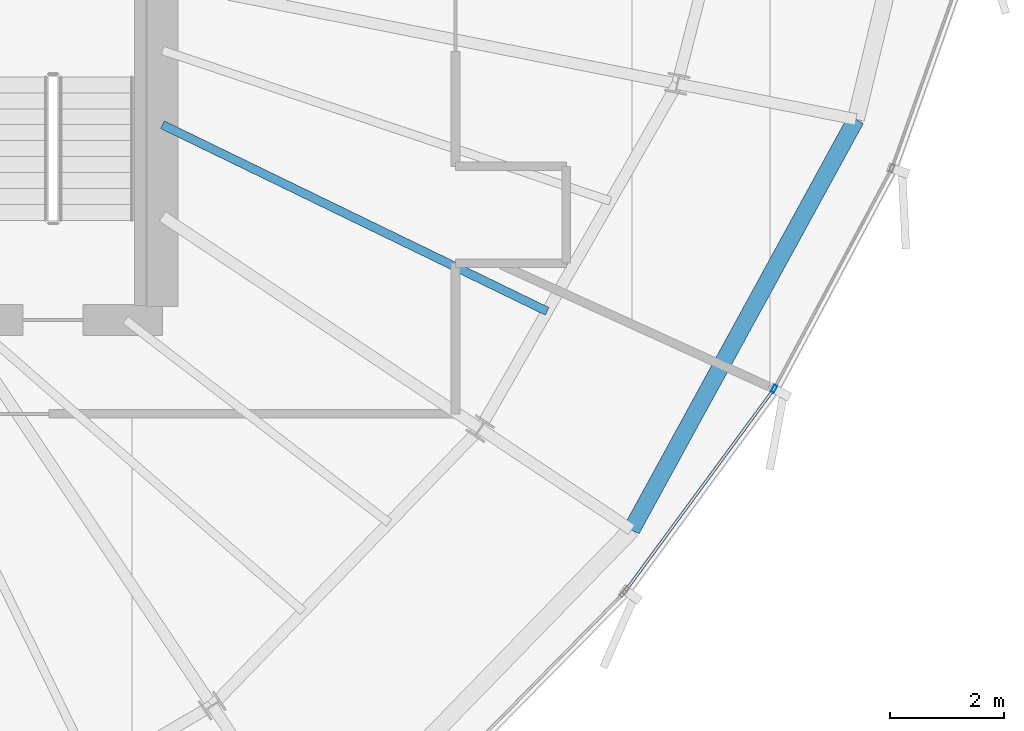
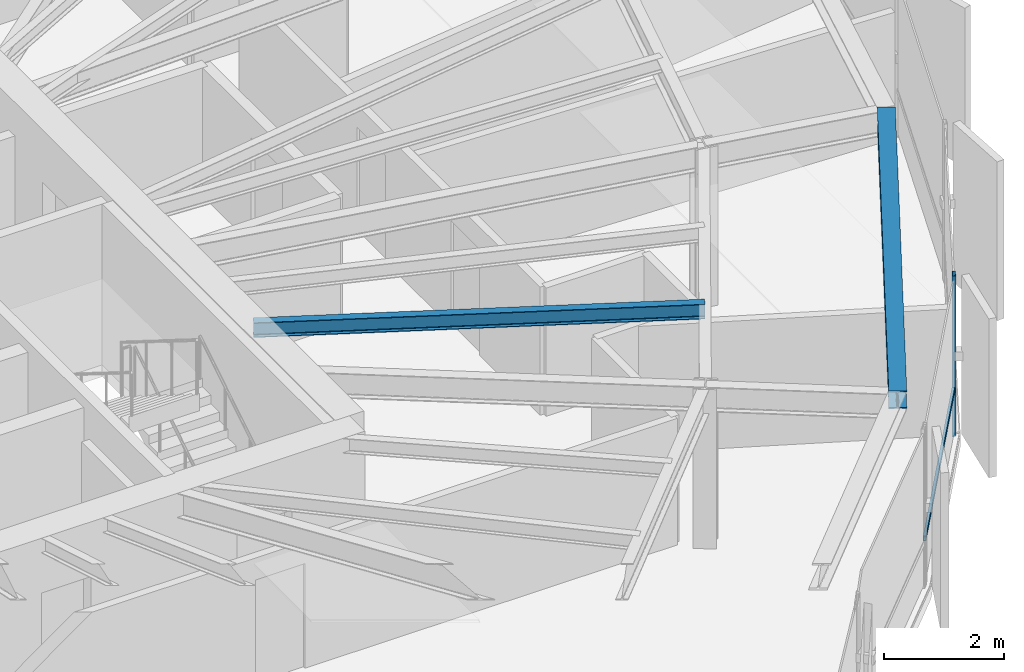
# One storey, part 16 of 37: 2 beams, 2 members, 1 element without a shape of its own.
"""IFC4 building model written with IfcOpenShell, lengths in metres."""

from ifc_helpers import new_model, si_unit, direction, frame, origin, origin_2d, place, context, subcontext, project, spatial, hollow_rectangle, i_section, extrude, source, transform, mapped, material, layer, layer_set, material_profile, profile_set, type_object, element, aggregate, save


model = new_model("IFC4")

# Units and contexts
model_context = context("Model", 3, precision=1e-05, world=origin(), true_north=direction((0.0, 1.0)))
body_context = subcontext(model_context, "Body", "Model", "MODEL_VIEW")
ifc_project = project(units=[si_unit("LENGTHUNIT", "METRE"), si_unit("AREAUNIT", "SQUARE_METRE"), si_unit("VOLUMEUNIT", "CUBIC_METRE"), si_unit("PLANEANGLEUNIT", "RADIAN"), si_unit("MASSUNIT", "GRAM", prefix="KILO"), si_unit("THERMODYNAMICTEMPERATUREUNIT", "KELVIN")], contexts=[model_context])

# Site, building, storey
site_placement = place(None, origin())
site = spatial("IfcSite", under=ifc_project, at=site_placement, CompositionType="ELEMENT")
building_placement = place(site_placement, origin())
building = spatial("IfcBuilding", under=site, at=building_placement, Name="Kethvar Cultural Tower", CompositionType="ELEMENT")
storey_placement = place(building_placement, frame((0.0, 0.0, 200.89990234375)))
storey = spatial("IfcBuildingStorey", under=building, at=storey_placement, Name="L52", CompositionType="ELEMENT", Elevation=200.89990234375)

# Beams
ifc_material_1 = material(Name="Steel S355J2", Category="steel")
ifc_material_profile_1 = material_profile(ifc_material_1, i_section(OverallWidth=0.300048828125, OverallDepth=0.360107421875, WebThickness=0.012451171875, FlangeThickness=0.0224609375, FilletRadius=0.027099609375, at=origin_2d()), Name="Steel S355J2 — HEB360")
ifc_profile_set_1 = profile_set([ifc_material_profile_1], Name="Steel S355J2 — HEB360")
beam_type_1 = type_object("IfcBeamType", Name="BM-SP360", PredefinedType="SPANDREL", material=ifc_profile_set_1)
shared_shape_1 = source(origin(), body_context, "Body", "SweptSolid", [
    extrude(i_section(OverallWidth=0.300048828125, OverallDepth=0.360107421875, WebThickness=0.012451171875, FlangeThickness=0.0224609375, FilletRadius=0.027099609375, at=origin_2d()), origin(), (0.0, 0.0, 1.0), 8.22119140625),
])
beam_1_placement = place(storey_placement, frame((63.84326171875, 16.412109375, 3.078125), z_axis=(0.479721613821, 0.8774207504, 0.0), x_axis=(-0.8774207504, 0.479721613821, 0.0)))
element("IfcBeam", 1, at=beam_1_placement, inside=storey, type_object=beam_type_1, Name="L52 Perimeter Spandrel Beam SP-15", PredefinedType="SPANDREL", context=body_context, shape_type="MappedRepresentation", body=[
    mapped(shared_shape_1, transform((0.0, 0.0, 0.0), scale=1.0)),
])
ifc_material_profile_2 = material_profile(ifc_material_1, i_section(OverallWidth=0.14990234375, OverallDepth=0.300048828125, WebThickness=0.007080078125, FlangeThickness=0.0107421875, FilletRadius=0.014892578125, at=origin_2d()), Name="Steel S355J2 — IPE300")
ifc_profile_set_2 = profile_set([ifc_material_profile_2], Name="Steel S355J2 — IPE300")
beam_type_2 = type_object("IfcBeamType", Name="BM-J300", PredefinedType="JOIST", material=ifc_profile_set_2)
shared_shape_2 = source(origin(), body_context, "Body", "SweptSolid", [
    extrude(i_section(OverallWidth=0.14990234375, OverallDepth=0.300048828125, WebThickness=0.007080078125, FlangeThickness=0.0107421875, FilletRadius=0.014892578125, at=origin_2d()), origin(), (0.0, 0.0, 1.0), 7.5146484375),
])
beam_2_placement = place(storey_placement, frame((55.60009765625, 23.530517578125, 3.108154296875), z_axis=(0.899698132091, -0.436512624229, 0.0), x_axis=(0.436512624229, 0.899698132091, 0.0)))
element("IfcBeam", 2, at=beam_2_placement, inside=storey, type_object=beam_type_2, Name="L52 Composite Floor Joist J-15A", PredefinedType="JOIST", context=body_context, shape_type="MappedRepresentation", body=[
    mapped(shared_shape_2, transform((0.0, 0.0, 0.0), scale=1.0)),
])

# Curtain wall, members
ifc_material_2 = material(Name="Aluminium 6063-T6", Category="aluminium")
ifc_layer = layer(ifc_material_2, 0.179931640625, Name="Aluminium 6063-T6", Category="aluminium")
ifc_layer_set = layer_set([ifc_layer], Name="Aluminium 6063-T6 (180 mm)")
curtain_wall_type = type_object("IfcCurtainWallType", Name="CW-SYS-04-Z34", PredefinedType="NOTDEFINED", material=ifc_layer_set)
curtain_wall_placement = place(storey_placement, origin())
curtain_wall = element("IfcCurtainWall", 3, at=curtain_wall_placement, inside=storey, type_object=curtain_wall_type, Name="L52 Curtain Wall Run 06", PredefinedType="NOTDEFINED")
ifc_material_profile_3 = material_profile(ifc_material_2, hollow_rectangle(XDim=0.06005859375, YDim=0.139892578125, WallThickness=0.0048828125, at=origin_2d()), Name="Aluminium 6063-T6 — RHS140x60x5")
ifc_profile_set_3 = profile_set([ifc_material_profile_3], Name="Aluminium 6063-T6 — RHS140x60x5")
member_type_1 = type_object("IfcMemberType", Name="CW-SYS-04-Z34-MUL", PredefinedType="MULLION", material=ifc_profile_set_3)
shared_shape_3 = source(origin(), body_context, "Body", "SweptSolid", [
    extrude(hollow_rectangle(XDim=0.06005859375, YDim=0.139892578125, WallThickness=0.0048828125, at=origin_2d()), origin(), (0.0, 0.0, 1.0), 3.260009765625),
])
member_1_placement = place(storey_placement, frame((66.3486328125, 18.8876953125, 0.0), z_axis=(0.0, 0.0, 1.0), x_axis=(-0.882274795231, 0.470734729652, 0.0)))
member_1 = element("IfcMember", 4, at=member_1_placement, type_object=member_type_1, Name="CW-L52-R06 Mullion 2", PredefinedType="MULLION", context=body_context, shape_type="MappedRepresentation", body=[
    mapped(shared_shape_3, transform((0.0, 0.0, 0.0), scale=1.0)),
])
ifc_material_profile_4 = material_profile(ifc_material_2, hollow_rectangle(XDim=0.050048828125, YDim=0.10009765625, WallThickness=0.00390625, at=origin_2d()), Name="Aluminium 6063-T6 — RHS100x50x4")
ifc_profile_set_4 = profile_set([ifc_material_profile_4], Name="Aluminium 6063-T6 — RHS100x50x4")
member_type_2 = type_object("IfcMemberType", Name="CW-SYS-04-Z34-TRN", PredefinedType="USERDEFINED", material=ifc_profile_set_4)
shared_shape_4 = source(origin(), body_context, "Body", "SweptSolid", [
    extrude(hollow_rectangle(XDim=0.050048828125, YDim=0.10009765625, WallThickness=0.00390625, at=origin_2d()), origin(), (0.0, 0.0, 1.0), 4.368896484375),
])
member_2_placement = place(storey_placement, frame((63.74267578125, 15.3466796875, 0.9501953125), z_axis=(0.592499256429, 0.805570996952, 0.0), x_axis=(-0.805570996952, 0.592499256429, 0.0)))
member_2 = element("IfcMember", 5, at=member_2_placement, type_object=member_type_2, Name="CW-L52-R06 Transom 1", ObjectType="TRANSOM", PredefinedType="USERDEFINED", context=body_context, shape_type="MappedRepresentation", body=[
    mapped(shared_shape_4, transform((0.0, 0.0, 0.0), scale=1.0)),
])
aggregate(curtain_wall, [member_1, member_2])

save(model, "model.ifc")
